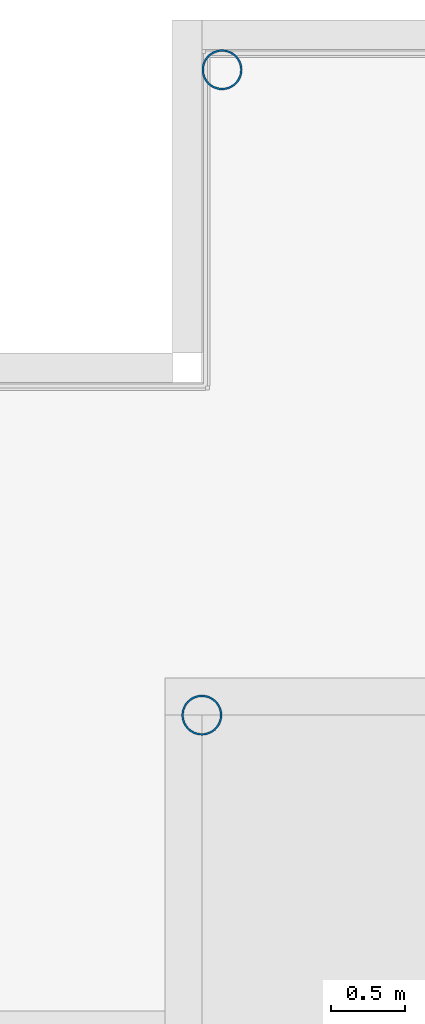
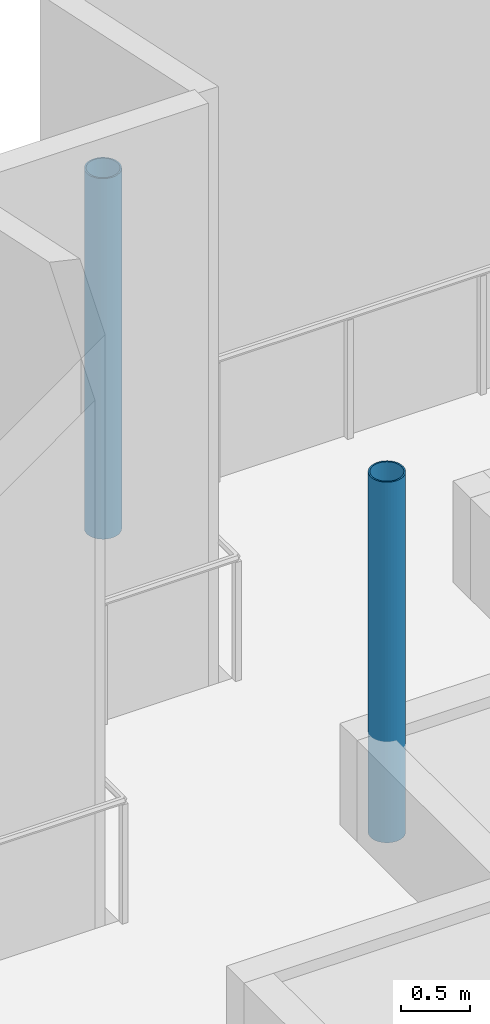
# One storey, part 4 of 9: 2 columns.
"""IFC4 building model written with IfcOpenShell, lengths in metres."""

from ifc_helpers import new_model, si_unit, direction, frame, origin, origin_2d, place, context, subcontext, project, spatial, hollow_circle, extrude, material, material_profile, profile_set, type_object, element, save


model = new_model("IFC4")

# Units and contexts
model_context = context("Model", 3, precision=1e-05, world=origin(), true_north=direction((0.0, 1.0)))
body_context = subcontext(model_context, "Body", "Model", "MODEL_VIEW")
ifc_project = project(units=[si_unit("LENGTHUNIT", "METRE"), si_unit("AREAUNIT", "SQUARE_METRE"), si_unit("VOLUMEUNIT", "CUBIC_METRE"), si_unit("PLANEANGLEUNIT", "RADIAN"), si_unit("MASSUNIT", "GRAM", prefix="KILO")], contexts=[model_context])

# Site, building, storey
site_placement = place(None, origin())
site = spatial("IfcSite", under=ifc_project, at=site_placement, CompositionType="ELEMENT")
building_placement = place(site_placement, origin())
building = spatial("IfcBuilding", under=site, at=building_placement, Name="Orbiselva Terraces", CompositionType="ELEMENT")
storey_placement = place(building_placement, frame((0.0, 0.0, 303.4)))
storey = spatial("IfcBuildingStorey", under=building, at=storey_placement, Name="L75", CompositionType="ELEMENT", Elevation=303.4)

# Columns
ifc_material = material(Name="Steel ASTM A500 Grade C", Category="steel")
ifc_material_profile = material_profile(ifc_material, hollow_circle(Radius=0.13655, WallThickness=0.0127, at=origin_2d()), Name="HSS273.1X12.7")
ifc_profile_set = profile_set([ifc_material_profile], Name="Steel ASTM A500 Grade C")
column_type = type_object("IfcColumnType", Name="CANOPY COLUMN HSS273.1X12.7", PredefinedType="COLUMN", material=ifc_profile_set)
for number, where, z_axis, x_axis, name in (
    (1, (-17.86345, 22.36345, 0.0), (0.0, 0.0, 1.0), (1.0, 0.0, 0.0), "Canopy column L75-02"),
    (2, (-18.0, 18.0, 0.0), (0.0, 0.0, 1.0), (1.0, 0.0, 0.0), "Canopy column L75-07"),
):
    element("IfcColumn", number, at=place(storey_placement, frame(where, z_axis=z_axis, x_axis=x_axis)), inside=storey, type_object=column_type, Name=name, PredefinedType="COLUMN", context=body_context, shape_type="SweptSolid", body=[
        extrude(hollow_circle(Radius=0.13655, WallThickness=0.0127, at=origin_2d()), origin(), (0.0, 0.0, 1.0), 3.2),
    ])

save(model, "model.ifc")
